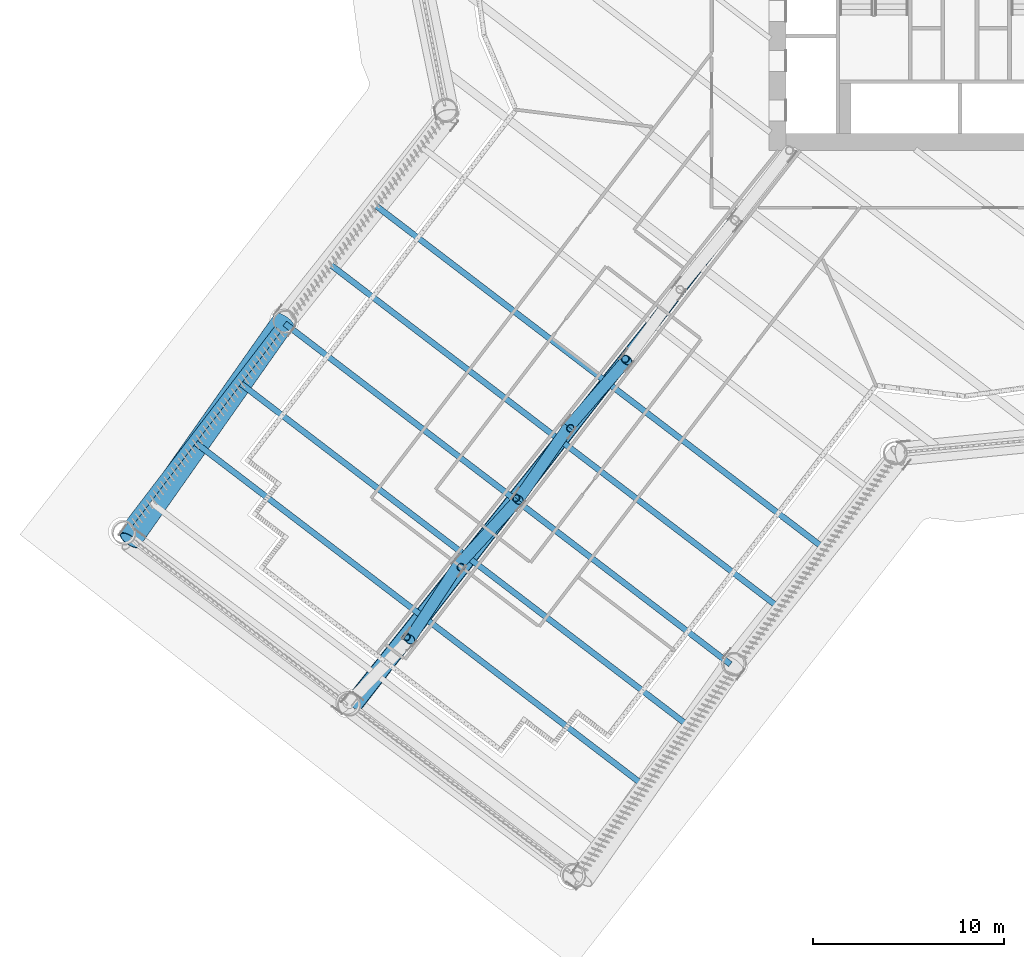
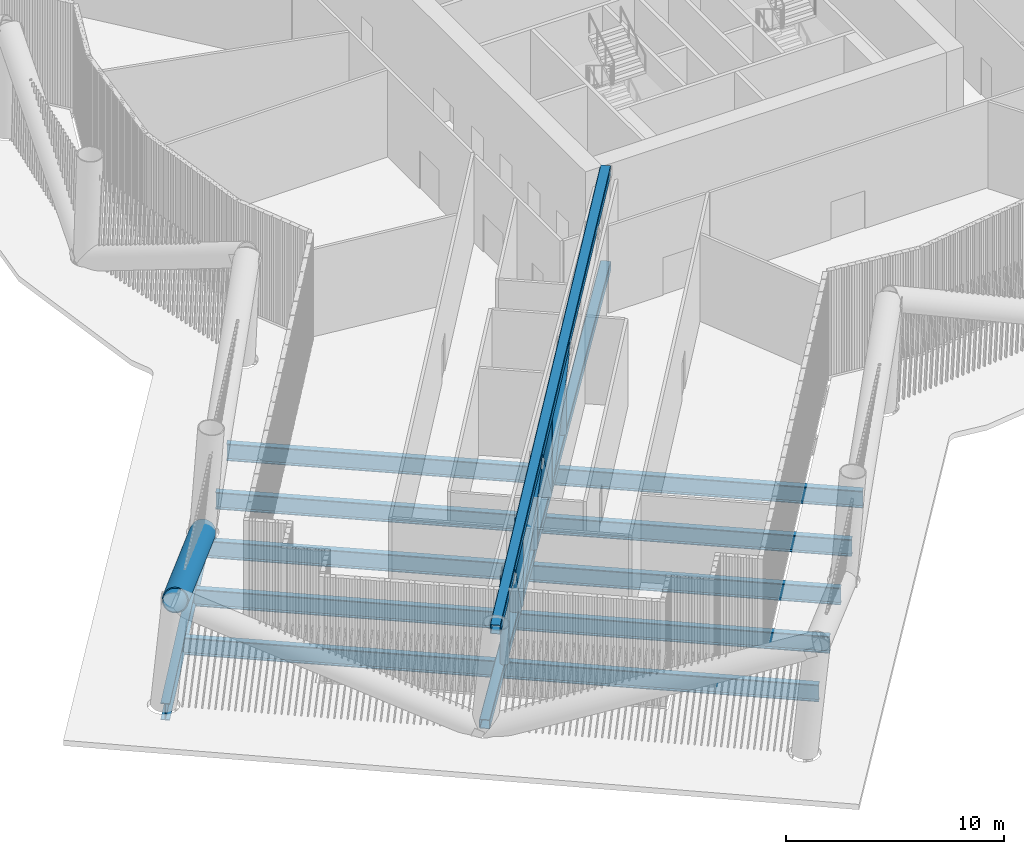
# One storey, part 2 of 48: 12 members, 6 beams.
"""IFC4 building model written with IfcOpenShell, lengths in metres."""

from ifc_helpers import new_model, si_unit, direction, frame, origin, origin_2d, place, context, subcontext, project, spatial, hollow_rectangle, hollow_circle, i_section, extrude, material, material_profile, profile_set, type_object, element, save


model = new_model("IFC4")

# Units and contexts
model_context = context("Model", 3, precision=1e-05, world=origin(), true_north=direction((0.0, 1.0)))
body_context = subcontext(model_context, "Body", "Model", "MODEL_VIEW")
ifc_project = project(units=[si_unit("LENGTHUNIT", "METRE"), si_unit("AREAUNIT", "SQUARE_METRE"), si_unit("VOLUMEUNIT", "CUBIC_METRE"), si_unit("PLANEANGLEUNIT", "RADIAN"), si_unit("MASSUNIT", "GRAM", prefix="KILO")], contexts=[model_context])

# Site, building, storey
site_placement = place(None, origin())
site = spatial("IfcSite", under=ifc_project, at=site_placement, CompositionType="ELEMENT")
building_placement = place(site_placement, origin())
building = spatial("IfcBuilding", under=site, at=building_placement, Name="Tarsis Ring Headquarters", CompositionType="ELEMENT")
storey_placement = place(building_placement, frame((0.0, 0.0, 34.0)))
storey = spatial("IfcBuildingStorey", under=building, at=storey_placement, Name="L06", CompositionType="ELEMENT", Elevation=34.0)

# Beams
ifc_material_1 = material(Name="Structural steel S355", Category="steel")
ifc_material_profile_1 = material_profile(ifc_material_1, i_section(OverallWidth=0.309814453125, OverallDepth=0.949951171875, WebThickness=0.0244140625, FlangeThickness=0.0439453125, at=origin_2d()), Name="W36x256")
ifc_profile_set_1 = profile_set([ifc_material_profile_1], Name="Structural steel S355")
beam_type_1 = type_object("IfcBeamType", Name="FB Floor beam W36x256", PredefinedType="JOIST", material=ifc_profile_set_1)
for number, where, z_axis, x_axis, name in (
    (1, (-30.618408203125, -15.86474609375, -0.77490234375), (0.794417747718, -0.607371749516, 0.0), (0.607371749516, 0.794417747718, 0.0), "Floor beam FB11"),
    (2, (-32.987060546875, -18.962890625, -0.77490234375), (0.794414681779, -0.60737575962, 0.0), (0.60737575962, 0.794414681779, 0.0), "Floor beam FB11"),
):
    element("IfcBeam", number, at=place(storey_placement, frame(where, z_axis=z_axis, x_axis=x_axis)), inside=storey, type_object=beam_type_1, Name=name, PredefinedType="JOIST", context=body_context, shape_type="SweptSolid", body=[
        extrude(i_section(OverallWidth=0.309814453125, OverallDepth=0.949951171875, WebThickness=0.0244140625, FlangeThickness=0.0439453125, at=origin_2d()), origin(), (0.0, 0.0, 1.0), 29.375732421875),
    ])
beam_1_placement = place(storey_placement, frame((-35.35595703125, -22.06103515625, -0.77490234375), z_axis=(0.794413737636, -0.607376994506, 0.0), x_axis=(0.607376994506, 0.794413737636, 0.0)))
element("IfcBeam", 3, at=beam_1_placement, inside=storey, type_object=beam_type_1, Name="Floor beam FB11", PredefinedType="JOIST", context=body_context, shape_type="SweptSolid", body=[
    extrude(i_section(OverallWidth=0.309814453125, OverallDepth=0.949951171875, WebThickness=0.0244140625, FlangeThickness=0.0439453125, at=origin_2d()), origin(), (0.0, 0.0, 1.0), 29.3759765625),
])
for number, where, z_axis, x_axis, name in (
    (4, (-37.724609375, -25.159423828125, -0.77490234375), (0.794414681779, -0.60737575962, 0.0), (0.60737575962, 0.794414681779, 0.0), "Floor beam FB11"),
    (5, (-40.093505859375, -28.257568359375, -0.77490234375), (0.794417747718, -0.607371749516, 0.0), (0.607371749516, 0.794417747718, 0.0), "Floor beam FB11"),
):
    element("IfcBeam", number, at=place(storey_placement, frame(where, z_axis=z_axis, x_axis=x_axis)), inside=storey, type_object=beam_type_1, Name=name, PredefinedType="JOIST", context=body_context, shape_type="SweptSolid", body=[
        extrude(i_section(OverallWidth=0.309814453125, OverallDepth=0.949951171875, WebThickness=0.0244140625, FlangeThickness=0.0439453125, at=origin_2d()), origin(), (0.0, 0.0, 1.0), 29.375732421875),
    ])

# Members
ifc_material_profile_2 = material_profile(ifc_material_1, hollow_rectangle(XDim=0.508056640625, YDim=0.508056640625, WallThickness=0.025390625, InnerFilletRadius=0.025390625, OuterFilletRadius=0.05078125, at=origin_2d()), Name="HSS 508x508x25")
ifc_profile_set_2 = profile_set([ifc_material_profile_2], Name="Structural steel S355")
member_type_1 = type_object("IfcMemberType", Name="OC Outrigger chord HSS 508x508x25", PredefinedType="CHORD", material=ifc_profile_set_2)
member_1_placement = place(storey_placement, frame((-8.93017578125, -13.0, 0.25390625), z_axis=(-0.623925037988, -0.781484194959, 0.0), x_axis=(0.781484194959, -0.623925037988, 0.0)))
element("IfcMember", 6, at=member_1_placement, inside=storey, type_object=member_type_1, Name="Outrigger chord OC1", PredefinedType="CHORD", context=body_context, shape_type="SweptSolid", body=[
    extrude(hollow_rectangle(XDim=0.508056640625, YDim=0.508056640625, WallThickness=0.025390625, InnerFilletRadius=0.025390625, OuterFilletRadius=0.05078125, at=origin_2d()), origin(), (0.0, 0.0, 1.0), 37.056640625),
])
member_2_placement = place(storey_placement, frame((-8.93017578125, -13.0, 5.5859375), z_axis=(-0.613509839857, -0.789687074985, 0.0), x_axis=(0.789687074985, -0.613509839857, 0.0)))
element("IfcMember", 7, at=member_2_placement, inside=storey, type_object=member_type_1, Name="Outrigger chord OC1", PredefinedType="CHORD", context=body_context, shape_type="SweptSolid", body=[
    extrude(hollow_rectangle(XDim=0.508056640625, YDim=0.508056640625, WallThickness=0.025390625, InnerFilletRadius=0.025390625, OuterFilletRadius=0.05078125, at=origin_2d()), origin(), (0.0, 0.0, 1.0), 37.047119140625),
])
ifc_material_profile_3 = material_profile(ifc_material_1, hollow_circle(Radius=0.3046875, WallThickness=0.02490234375, at=origin_2d()), Name="CHS 610x25")
ifc_profile_set_3 = profile_set([ifc_material_profile_3], Name="Structural steel S355")
member_type_2 = type_object("IfcMemberType", Name="OD Outrigger diagonal CHS 610x25", PredefinedType="BRACE", material=ifc_profile_set_3)
member_3_placement = place(storey_placement, frame((-17.453369140625, -23.970947265625, 5.5859375), z_axis=(-0.429664779169, -0.496359529055, -0.754331091403), x_axis=(0.75607605731, -0.654483762643, 0.0)))
element("IfcMember", 8, at=member_3_placement, inside=storey, type_object=member_type_2, Name="Outrigger diagonal OD1", PredefinedType="BRACE", context=body_context, shape_type="SweptSolid", body=[
    extrude(hollow_circle(Radius=0.3046875, WallThickness=0.02490234375, at=origin_2d()), origin(), (0.0, 0.0, 1.0), 7.068603515625),
])
member_4_placement = place(storey_placement, frame((-20.490478515625, -27.4794921875, 0.25390625), z_axis=(-0.374414183283, -0.538639418558, 0.754772545958), x_axis=(0.821113462174, -0.570764997382, 0.0)))
element("IfcMember", 9, at=member_4_placement, inside=storey, type_object=member_type_2, Name="Outrigger diagonal OD1", PredefinedType="BRACE", context=body_context, shape_type="SweptSolid", body=[
    extrude(hollow_circle(Radius=0.3046875, WallThickness=0.02490234375, at=origin_2d()), origin(), (0.0, 0.0, 1.0), 7.064453125),
])
member_5_placement = place(storey_placement, frame((-23.135498046875, -31.28466796875, 5.5859375), z_axis=(-0.443105747662, -0.485480473784, -0.753635194217), x_axis=(0.738605958823, -0.674137402605, 0.0)))
element("IfcMember", 10, at=member_5_placement, inside=storey, type_object=member_type_2, Name="Outrigger diagonal OD1", PredefinedType="BRACE", context=body_context, shape_type="SweptSolid", body=[
    extrude(hollow_circle(Radius=0.3046875, WallThickness=0.02490234375, at=origin_2d()), origin(), (0.0, 0.0, 1.0), 7.0751953125),
])
member_6_placement = place(storey_placement, frame((-26.2705078125, -34.719482421875, 0.25390625), z_axis=(-0.3603689805, -0.548773503083, 0.75430884935), x_axis=(0.835882724487, -0.548908071452, 0.0)))
element("IfcMember", 11, at=member_6_placement, inside=storey, type_object=member_type_2, Name="Outrigger diagonal OD1", PredefinedType="BRACE", context=body_context, shape_type="SweptSolid", body=[
    extrude(hollow_circle(Radius=0.3046875, WallThickness=0.02490234375, at=origin_2d()), origin(), (0.0, 0.0, 1.0), 7.06884765625),
])
ifc_material_profile_4 = material_profile(ifc_material_1, hollow_circle(Radius=0.203125, WallThickness=0.01611328125, at=origin_2d()), Name="CHS 406x16")
ifc_profile_set_4 = profile_set([ifc_material_profile_4], Name="Structural steel S355")
member_type_3 = type_object("IfcMemberType", Name="OV Outrigger post CHS 406x16", PredefinedType="STRUT", material=ifc_profile_set_4)
for number, where, z_axis, x_axis, name in (
    (12, (-17.52685546875, -23.915283203125, 0.508056640625), (0.0, 0.0, 1.0), (1.0, 0.0, 0.0), "Outrigger post OV1"),
    (13, (-20.392578125, -27.5537109375, 0.508056640625), (0.0, 0.0, 1.0), (1.0, 0.0, 0.0), "Outrigger post OV1"),
    (14, (-23.258056640625, -31.192138671875, 0.508056640625), (0.0, 0.0, 1.0), (1.0, 0.0, 0.0), "Outrigger post OV1"),
    (15, (-26.12353515625, -34.83056640625, 0.508056640625), (0.0, 0.0, 1.0), (1.0, 0.0, 0.0), "Outrigger post OV1"),
    (16, (-28.9892578125, -38.468994140625, 0.508056640625), (0.0, 0.0, 1.0), (1.0, 0.0, 0.0), "Outrigger post OV1"),
):
    element("IfcMember", number, at=place(storey_placement, frame(where, z_axis=z_axis, x_axis=x_axis)), inside=storey, type_object=member_type_3, Name=name, PredefinedType="STRUT", context=body_context, shape_type="SweptSolid", body=[
        extrude(hollow_circle(Radius=0.203125, WallThickness=0.01611328125, at=origin_2d()), origin(), (0.0, 0.0, 1.0), 4.823974609375),
    ])
ifc_material_2 = material(Name="Structural steel S460", Category="steel")
ifc_material_profile_5 = material_profile(ifc_material_2, hollow_circle(Radius=0.609619140625, WallThickness=0.050048828125, at=origin_2d()), Name="CHS 1219x50")
ifc_profile_set_5 = profile_set([ifc_material_profile_5], Name="Structural steel S460")
member_type_4 = type_object("IfcMemberType", Name="TD Belt truss diagonal CHS 1219x50", PredefinedType="BRACE", material=ifc_profile_set_5)
member_7_placement = place(storey_placement, frame((-35.3828125, -21.911865234375, 0.0), z_axis=(-0.529472522143, -0.752131020886, 0.392374535), x_axis=(0.81770656008, -0.575635285231, 0.0)))
element("IfcMember", 17, at=member_7_placement, inside=storey, type_object=member_type_4, Name="Belt truss diagonal TD1", PredefinedType="BRACE", context=body_context, shape_type="SweptSolid", body=[
    extrude(hollow_circle(Radius=0.609619140625, WallThickness=0.050048828125, at=origin_2d()), origin(), (0.0, 0.0, 1.0), 15.29150390625),
])

# Beam
ifc_material_profile_6 = material_profile(ifc_material_1, i_section(OverallWidth=0.42431640625, OverallDepth=0.947509765625, WebThickness=0.02392578125, FlangeThickness=0.042724609375, at=origin_2d()), Name="W36x302")
ifc_profile_set_6 = profile_set([ifc_material_profile_6], Name="Structural steel S355")
beam_type_2 = type_object("IfcBeamType", Name="XG Ring girder W36x302", PredefinedType="BEAM", material=ifc_profile_set_6)
beam_2_placement = place(storey_placement, frame((-35.716064453125, -22.34765625, -0.773681640625), z_axis=(-0.607387121094, -0.79440599515, 0.0), x_axis=(0.79440599515, -0.607387121094, 0.0)))
element("IfcBeam", 18, at=beam_2_placement, inside=storey, type_object=beam_type_2, Name="Ring girder XG1", PredefinedType="BEAM", context=body_context, shape_type="SweptSolid", body=[
    extrude(i_section(OverallWidth=0.42431640625, OverallDepth=0.947509765625, WebThickness=0.02392578125, FlangeThickness=0.042724609375, at=origin_2d()), origin(), (0.0, 0.0, 1.0), 12.804931640625),
])

save(model, "model.ifc")
